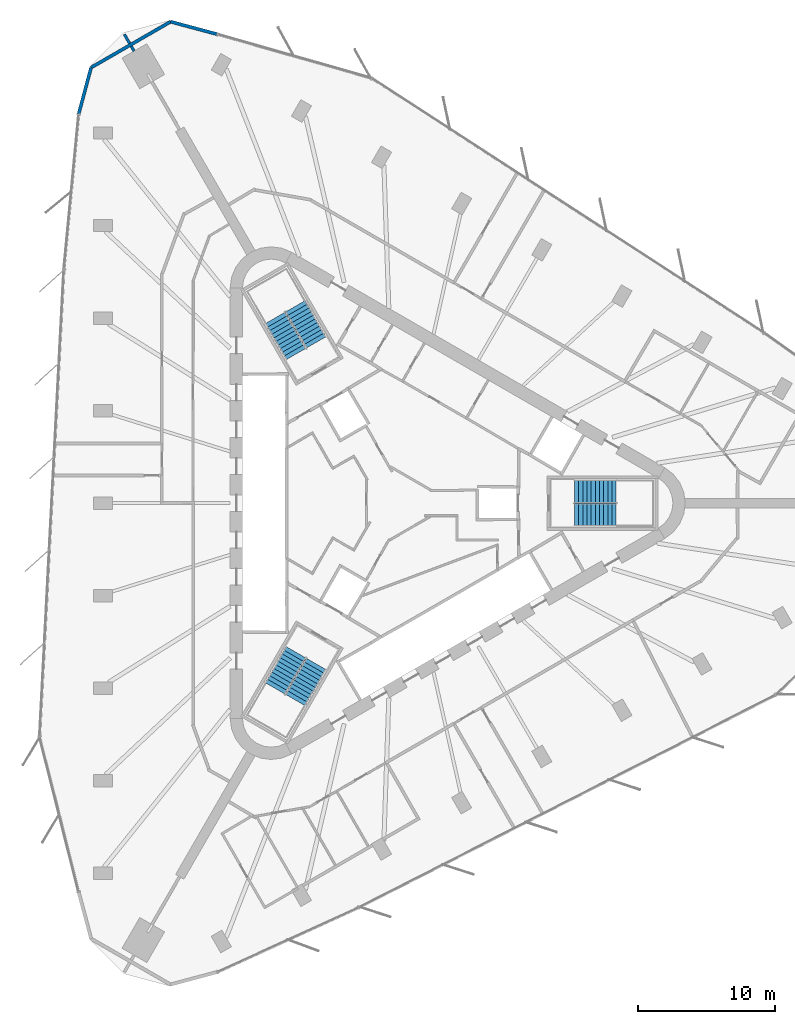
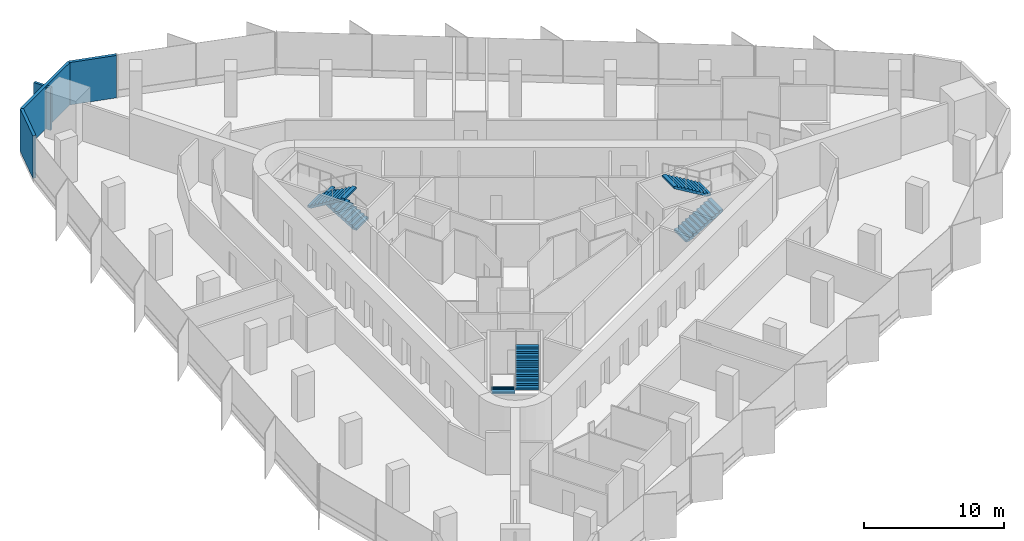
# One storey, part 13 of 14: 6 stair flights, 5 walls, 3 elements without a shape of their own.
"""IFC4 building model written with IfcOpenShell, lengths in metres."""

from ifc_helpers import new_model, si_unit, direction, frame, frame_2d, origin, place, context, subcontext, project, spatial, polyline, rectangle, outline, extrude, material, layer, layer_set, type_object, element, aggregate, save


model = new_model("IFC4")

# Units and contexts
model_context = context("Model", 3, precision=1e-05, world=origin(), true_north=direction((0.0, 1.0)))
body_context = subcontext(model_context, "Body", "Model", "MODEL_VIEW")
ifc_project = project(units=[si_unit("LENGTHUNIT", "METRE"), si_unit("AREAUNIT", "SQUARE_METRE"), si_unit("VOLUMEUNIT", "CUBIC_METRE"), si_unit("PLANEANGLEUNIT", "RADIAN"), si_unit("MASSUNIT", "GRAM", prefix="KILO")], contexts=[model_context])

# Site, building, storey
site_placement = place(None, origin())
site = spatial("IfcSite", under=ifc_project, at=site_placement, CompositionType="ELEMENT")
building_placement = place(site_placement, origin())
building = spatial("IfcBuilding", under=site, at=building_placement, Name="Tanit Gate Tower", CompositionType="ELEMENT")
storey_placement = place(building_placement, frame((0.0, 0.0, 253.199951171875)))
storey = spatial("IfcBuildingStorey", under=building, at=storey_placement, Name="L57", CompositionType="ELEMENT", Elevation=253.199951171875)

# Walls
ifc_material_1 = material(Name="Concrete C30/37 with bronze anodised aluminium cladding", Category="concrete")
ifc_layer_1 = layer(ifc_material_1, 0.239990234375)
ifc_layer_set_1 = layer_set([ifc_layer_1], Name="Facade wall bronze clad 240")
wall_type_1 = type_object("IfcWallType", Name="Facade wall bronze clad 240", PredefinedType="SOLIDWALL", material=ifc_layer_set_1)
wall_1_placement = place(storey_placement, frame((-13.072265625, 34.326171875, 0.0), z_axis=(0.0, 0.0, 1.0), x_axis=(-0.965926007748, 0.258818367886, 0.0)))
element("IfcWall", 1, at=wall_1_placement, inside=storey, type_object=wall_type_1, Name="Bronze-clad facade wall L57 NW.arc1", PredefinedType="SOLIDWALL", context=body_context, shape_type="SweptSolid", body=[
    extrude(rectangle(XDim=3.510009765625, YDim=0.239990234375, at=frame_2d((1.7548828125, 0.0))), origin(), (0.0, 0.0, 1.0), 3.699951171875),
])
wall_2_placement = place(storey_placement, frame((-16.462646484375, 35.234619140625, 0.0), z_axis=(0.0, 0.0, 1.0), x_axis=(-0.86603253074, -0.499987655547, 0.0)))
element("IfcWall", 2, at=wall_2_placement, inside=storey, type_object=wall_type_1, Name="Bronze-clad facade wall L57 NW.arc2", PredefinedType="SOLIDWALL", context=body_context, shape_type="SweptSolid", body=[
    extrude(rectangle(XDim=6.720458984375, YDim=0.239990234375, at=frame_2d((3.3603515625, 0.0))), origin(), (0.0, 0.0, 1.0), 3.699951171875),
])
wall_3_placement = place(storey_placement, frame((-22.28271484375, 31.87451171875, 0.0), z_axis=(0.0, 0.0, 1.0), x_axis=(-0.258842973314, -0.965919414426, 0.0)))
element("IfcWall", 3, at=wall_3_placement, inside=storey, type_object=wall_type_1, Name="Bronze-clad facade wall L57 NW.arc3", PredefinedType="SOLIDWALL", context=body_context, shape_type="SweptSolid", body=[
    extrude(rectangle(XDim=3.501220703125, YDim=0.239990234375, at=frame_2d((1.75048828125, 0.0))), origin(), (0.0, 0.0, 1.0), 3.699951171875),
])
ifc_material_2 = material(Name="Fire-rated gypsum board partition")
ifc_layer_2 = layer(ifc_material_2, 0.199951171875)
ifc_layer_set_2 = layer_set([ifc_layer_2], Name="INT-WALL-COMPARTMENT")
wall_type_2 = type_object("IfcWallType", Name="INT-WALL-COMPARTMENT", PredefinedType="PARTITIONING", material=ifc_layer_set_2)
wall_4_placement = place(storey_placement, frame((-19.844970703125, 34.312255859375, 0.0), z_axis=(0.0, 0.0, 1.0), x_axis=(0.500151178888, -0.865938103017, 0.0)))
element("IfcWall", 4, at=wall_4_placement, inside=storey, type_object=wall_type_2, Name="Wall Compartment W124", PredefinedType="PARTITIONING", context=body_context, shape_type="SweptSolid", body=[
    extrude(rectangle(XDim=0.772216796875, YDim=0.199951171875, at=frame_2d((0.38623046875, 0.0))), origin(), (0.0, 0.0, 1.0), 3.699951171875),
])
wall_5_placement = place(storey_placement, frame((-19.338623046875, 33.435546875, 0.0), z_axis=(0.0, 0.0, 1.0), x_axis=(0.499896243657, -0.866085299251, 0.0)))
element("IfcWall", 5, at=wall_5_placement, inside=storey, type_object=wall_type_2, Name="Wall Compartment W124x1", PredefinedType="PARTITIONING", context=body_context, shape_type="SweptSolid", body=[
    extrude(rectangle(XDim=0.4052734375, YDim=0.199951171875, at=frame_2d((0.20263671875, 0.0))), origin(), (0.0, 0.0, 1.0), 3.699951171875),
])

# Stair, stair flights
ifc_material_3 = material(Name="Concrete C40/50", Category="concrete")
stair_type = type_object("IfcStairType", Name="INT-STAIR-EXIT", PredefinedType="HALF_TURN_STAIR", material=ifc_material_3)
stair_1_placement = place(storey_placement, origin())
stair_1 = element("IfcStair", 6, at=stair_1_placement, inside=storey, type_object=stair_type, Name="L57 STAIR S1", PredefinedType="HALF_TURN_STAIR")
ifc_material_4 = material(Name="Concrete C40/50", Category="concrete")
stair_flight_type = type_object("IfcStairFlightType", Name="INT-STAIR-FLIGHT", PredefinedType="STRAIGHT", material=ifc_material_4)
stair_flight_1_placement = place(storey_placement, frame((13.094970703125, -0.8525390625, 0.0), z_axis=(0.0, 0.0, 1.0), x_axis=(1.0, 0.0, 0.0)))
stair_flight_1 = element("IfcStairFlight", 7, at=stair_flight_1_placement, type_object=stair_flight_type, Name="S1 flight 1", NumberOfRisers=11, NumberOfTreads=10, PredefinedType="STRAIGHT", RiserHeight=0.181818182, TreadLength=0.3051, context=body_context, shape_type="SweptSolid", body=[
    extrude(outline(polyline([(0.0, 0.0), (0.0, 0.181884765625), (0.30517578125, 0.181884765625), (0.30517578125, 0.363525390625), (0.610107421875, 0.363525390625), (0.610107421875, 0.54541015625), (0.915283203125, 0.54541015625), (0.915283203125, 0.727294921875), (1.220458984375, 0.727294921875), (1.220458984375, 0.9091796875), (1.525390625, 0.9091796875), (1.525390625, 1.0908203125), (1.83056640625, 1.0908203125), (1.83056640625, 1.272705078125), (2.1357421875, 1.272705078125), (2.1357421875, 1.45458984375), (2.44091796875, 1.45458984375), (2.44091796875, 1.636474609375), (2.745849609375, 1.636474609375), (2.745849609375, 1.818115234375), (3.051025390625, 1.818115234375), (3.051025390625, 2.0), (3.051025390625, 1.643798828125), (0.292724609375, 0.0), (0.0, 0.0)])), frame((0.0, 0.84765625, 0.0), z_axis=(0.0, -1.0, 0.0), x_axis=(1.0, 0.0, 0.0)), (0.0, 0.0, 1.0), 1.695068359375),
])
stair_flight_2_placement = place(storey_placement, frame((16.14599609375, 0.8525390625, 2.0), z_axis=(0.0, 0.0, 1.0), x_axis=(-1.0, 0.0, 0.0)))
stair_flight_2 = element("IfcStairFlight", 8, at=stair_flight_2_placement, type_object=stair_flight_type, Name="S1 flight 2", NumberOfRisers=11, NumberOfTreads=10, PredefinedType="STRAIGHT", RiserHeight=0.181818182, TreadLength=0.3051, context=body_context, shape_type="SweptSolid", body=[
    extrude(outline(polyline([(0.0, 0.0), (0.0, 0.181884765625), (0.30517578125, 0.181884765625), (0.30517578125, 0.363525390625), (0.610107421875, 0.363525390625), (0.610107421875, 0.54541015625), (0.915283203125, 0.54541015625), (0.915283203125, 0.727294921875), (1.220458984375, 0.727294921875), (1.220458984375, 0.9091796875), (1.525390625, 0.9091796875), (1.525390625, 1.0908203125), (1.83056640625, 1.0908203125), (1.83056640625, 1.272705078125), (2.1357421875, 1.272705078125), (2.1357421875, 1.45458984375), (2.44091796875, 1.45458984375), (2.44091796875, 1.636474609375), (2.745849609375, 1.636474609375), (2.745849609375, 1.818115234375), (3.051025390625, 1.818115234375), (3.051025390625, 2.0), (3.051025390625, 1.643798828125), (0.292724609375, 0.0), (0.0, 0.0)])), frame((0.0, 0.84765625, 0.0), z_axis=(0.0, -1.0, 0.0), x_axis=(1.0, 0.0, 0.0)), (0.0, 0.0, 1.0), 1.695068359375),
])
aggregate(stair_1, [stair_flight_1, stair_flight_2])

stair_2_placement = place(storey_placement, origin())
stair_2 = element("IfcStair", 9, at=stair_2_placement, inside=storey, type_object=stair_type, Name="L57 STAIR S2", PredefinedType="HALF_TURN_STAIR")
stair_flight_3_placement = place(storey_placement, frame((-5.808349609375, 11.766357421875, 0.0), z_axis=(0.0, 0.0, 1.0), x_axis=(-0.5, 0.866025403784, 0.0)))
stair_flight_3 = element("IfcStairFlight", 10, at=stair_flight_3_placement, type_object=stair_flight_type, Name="S2 flight 1", NumberOfRisers=11, NumberOfTreads=10, PredefinedType="STRAIGHT", RiserHeight=0.181818182, TreadLength=0.30492, context=body_context, shape_type="SweptSolid", body=[
    extrude(outline(polyline([(0.0, 0.0), (0.0, 0.181884765625), (0.304931640625, 0.181884765625), (0.304931640625, 0.363525390625), (0.60986328125, 0.363525390625), (0.60986328125, 0.54541015625), (0.914794921875, 0.54541015625), (0.914794921875, 0.727294921875), (1.2197265625, 0.727294921875), (1.2197265625, 0.9091796875), (1.524658203125, 0.9091796875), (1.524658203125, 1.0908203125), (1.82958984375, 1.0908203125), (1.82958984375, 1.272705078125), (2.134521484375, 1.272705078125), (2.134521484375, 1.45458984375), (2.439453125, 1.45458984375), (2.439453125, 1.636474609375), (2.744384765625, 1.636474609375), (2.744384765625, 1.818115234375), (3.04931640625, 1.818115234375), (3.04931640625, 2.0), (3.04931640625, 1.6435546875), (0.292724609375, 0.0), (0.0, 0.0)])), frame((0.0, 0.84716796875, 0.0), z_axis=(0.0, -1.0, 0.0), x_axis=(1.0, 0.0, 0.0)), (0.0, 0.0, 1.0), 1.694091796875),
])
stair_flight_4_placement = place(storey_placement, frame((-8.810302734375, 13.553955078125, 2.0), z_axis=(0.0, 0.0, 1.0), x_axis=(0.5, -0.866025403784, 0.0)))
stair_flight_4 = element("IfcStairFlight", 11, at=stair_flight_4_placement, type_object=stair_flight_type, Name="S2 flight 2", NumberOfRisers=11, NumberOfTreads=10, PredefinedType="STRAIGHT", RiserHeight=0.181818182, TreadLength=0.30492, context=body_context, shape_type="SweptSolid", body=[
    extrude(outline(polyline([(0.0, 0.0), (0.0, 0.181884765625), (0.304931640625, 0.181884765625), (0.304931640625, 0.363525390625), (0.60986328125, 0.363525390625), (0.60986328125, 0.54541015625), (0.914794921875, 0.54541015625), (0.914794921875, 0.727294921875), (1.2197265625, 0.727294921875), (1.2197265625, 0.9091796875), (1.524658203125, 0.9091796875), (1.524658203125, 1.0908203125), (1.82958984375, 1.0908203125), (1.82958984375, 1.272705078125), (2.134521484375, 1.272705078125), (2.134521484375, 1.45458984375), (2.439453125, 1.45458984375), (2.439453125, 1.636474609375), (2.744384765625, 1.636474609375), (2.744384765625, 1.818115234375), (3.04931640625, 1.818115234375), (3.04931640625, 2.0), (3.04931640625, 1.6435546875), (0.292724609375, 0.0), (0.0, 0.0)])), frame((0.0, 0.84716796875, 0.0), z_axis=(0.0, -1.0, 0.0), x_axis=(1.0, 0.0, 0.0)), (0.0, 0.0, 1.0), 1.694091796875),
])
aggregate(stair_2, [stair_flight_3, stair_flight_4])

stair_3_placement = place(storey_placement, origin())
stair_3 = element("IfcStair", 12, at=stair_3_placement, inside=storey, type_object=stair_type, Name="L57 STAIR S3", PredefinedType="HALF_TURN_STAIR")
stair_flight_5_placement = place(storey_placement, frame((-7.285888671875, -10.914306640625, 0.0), z_axis=(0.0, 0.0, 1.0), x_axis=(-0.5, -0.866025403784, 0.0)))
stair_flight_5 = element("IfcStairFlight", 13, at=stair_flight_5_placement, type_object=stair_flight_type, Name="S3 flight 1", NumberOfRisers=11, NumberOfTreads=10, PredefinedType="STRAIGHT", RiserHeight=0.181818182, TreadLength=0.3051, context=body_context, shape_type="SweptSolid", body=[
    extrude(outline(polyline([(0.0, 0.0), (0.0, 0.181884765625), (0.30517578125, 0.181884765625), (0.30517578125, 0.363525390625), (0.610107421875, 0.363525390625), (0.610107421875, 0.54541015625), (0.915283203125, 0.54541015625), (0.915283203125, 0.727294921875), (1.220458984375, 0.727294921875), (1.220458984375, 0.9091796875), (1.525390625, 0.9091796875), (1.525390625, 1.0908203125), (1.83056640625, 1.0908203125), (1.83056640625, 1.272705078125), (2.1357421875, 1.272705078125), (2.1357421875, 1.45458984375), (2.44091796875, 1.45458984375), (2.44091796875, 1.636474609375), (2.745849609375, 1.636474609375), (2.745849609375, 1.818115234375), (3.051025390625, 1.818115234375), (3.051025390625, 2.0), (3.051025390625, 1.643798828125), (0.292724609375, 0.0), (0.0, 0.0)])), frame((0.0, 0.84765625, 0.0), z_axis=(0.0, -1.0, 0.0), x_axis=(1.0, 0.0, 0.0)), (0.0, 0.0, 1.0), 1.695068359375),
])
stair_flight_6_placement = place(storey_placement, frame((-7.334716796875, -14.4091796875, 2.0), z_axis=(0.0, 0.0, 1.0), x_axis=(0.5, 0.866025403784, 0.0)))
stair_flight_6 = element("IfcStairFlight", 14, at=stair_flight_6_placement, type_object=stair_flight_type, Name="S3 flight 2", NumberOfRisers=11, NumberOfTreads=10, PredefinedType="STRAIGHT", RiserHeight=0.181818182, TreadLength=0.3051, context=body_context, shape_type="SweptSolid", body=[
    extrude(outline(polyline([(0.0, 0.0), (0.0, 0.181884765625), (0.30517578125, 0.181884765625), (0.30517578125, 0.363525390625), (0.610107421875, 0.363525390625), (0.610107421875, 0.54541015625), (0.915283203125, 0.54541015625), (0.915283203125, 0.727294921875), (1.220458984375, 0.727294921875), (1.220458984375, 0.9091796875), (1.525390625, 0.9091796875), (1.525390625, 1.0908203125), (1.83056640625, 1.0908203125), (1.83056640625, 1.272705078125), (2.1357421875, 1.272705078125), (2.1357421875, 1.45458984375), (2.44091796875, 1.45458984375), (2.44091796875, 1.636474609375), (2.745849609375, 1.636474609375), (2.745849609375, 1.818115234375), (3.051025390625, 1.818115234375), (3.051025390625, 2.0), (3.051025390625, 1.643798828125), (0.292724609375, 0.0), (0.0, 0.0)])), frame((0.0, 0.84765625, 0.0), z_axis=(0.0, -1.0, 0.0), x_axis=(1.0, 0.0, 0.0)), (0.0, 0.0, 1.0), 1.695068359375),
])
aggregate(stair_3, [stair_flight_5, stair_flight_6])

save(model, "model.ifc")
